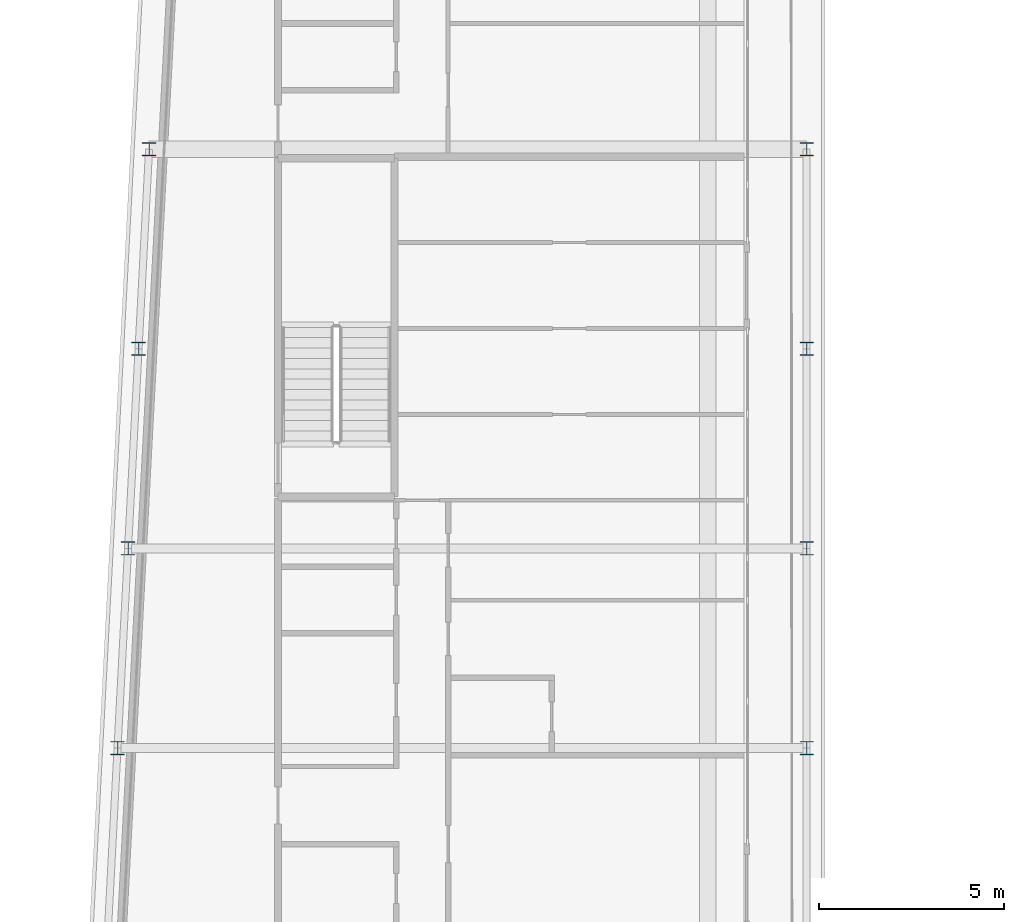
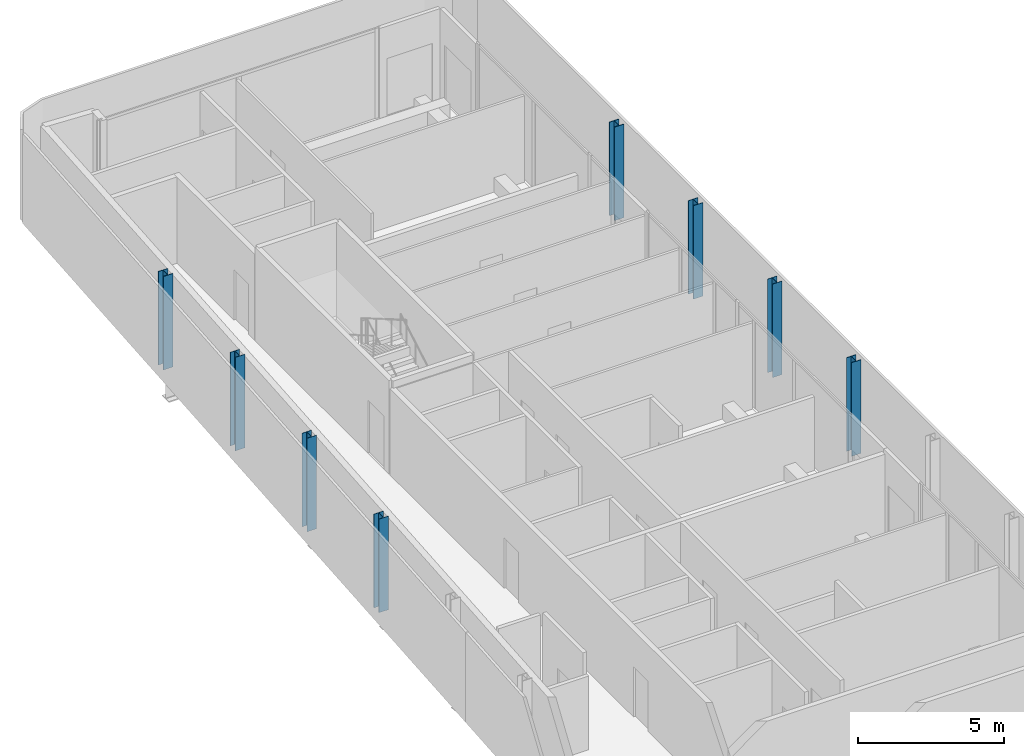
# One storey, part 3 of 18: 8 columns.
"""IFC4 building model written with IfcOpenShell, lengths in metres."""

from ifc_helpers import new_model, si_unit, direction, frame, origin, origin_2d, place, context, subcontext, project, spatial, i_section, extrude, material, material_profile, profile_set, type_object, element, save


model = new_model("IFC4")

# Units and contexts
model_context = context("Model", 3, precision=1e-05, world=origin(), true_north=direction((0.0, 1.0)))
body_context = subcontext(model_context, "Body", "Model", "MODEL_VIEW")
ifc_project = project(units=[si_unit("LENGTHUNIT", "METRE"), si_unit("AREAUNIT", "SQUARE_METRE"), si_unit("VOLUMEUNIT", "CUBIC_METRE"), si_unit("PLANEANGLEUNIT", "RADIAN"), si_unit("MASSUNIT", "GRAM", prefix="KILO")], contexts=[model_context])

# Site, building, storey
site_placement = place(None, origin())
site = spatial("IfcSite", under=ifc_project, at=site_placement, CompositionType="ELEMENT")
building_placement = place(site_placement, origin())
building = spatial("IfcBuilding", under=site, at=building_placement, Name="Kheshtan School and Residences Tower", CompositionType="ELEMENT")
storey_placement = place(building_placement, frame((0.0, 0.0, 369.5)))
storey = spatial("IfcBuildingStorey", under=building, at=storey_placement, Name="L87", CompositionType="ELEMENT", Elevation=369.5)

# Columns
ifc_material = material(Name="Steel ASTM A992 Grade 50", Category="steel")
ifc_material_profile = material_profile(ifc_material, i_section(OverallWidth=0.37109375, OverallDepth=0.364013671875, WebThickness=0.01318359375, FlangeThickness=0.021728515625, FilletRadius=0.010986328125, at=origin_2d()), Name="W360x162")
ifc_profile_set = profile_set([ifc_material_profile], Name="Steel ASTM A992 Grade 50")
column_type = type_object("IfcColumnType", Name="Column C6 W360x162 ASTM A992 Grade 50", PredefinedType="COLUMN", material=ifc_profile_set)
for number, where, z_axis, x_axis, name in (
    (1, (28.9580078125, 72.60009765625, 0.0), (0.0, 0.0, 1.0), (1.0, 0.0, 0.0), "Column C086"),
    (2, (47.60009765625, 72.60009765625, 0.0), (0.0, 0.0, 1.0), (1.0, 0.0, 0.0), "Column C087"),
    (3, (29.242919921875, 78.0, 0.0), (0.0, 0.0, 1.0), (1.0, 0.0, 0.0), "Column C088"),
    (4, (47.60009765625, 78.0, 0.0), (0.0, 0.0, 1.0), (1.0, 0.0, 0.0), "Column C089"),
    (5, (29.527099609375, 83.39990234375, 0.0), (0.0, 0.0, 1.0), (1.0, 0.0, 0.0), "Column C090"),
    (6, (47.60009765625, 83.39990234375, 0.0), (0.0, 0.0, 1.0), (1.0, 0.0, 0.0), "Column C091"),
    (7, (29.81103515625, 88.800048828125, 0.0), (0.0, 0.0, 1.0), (1.0, 0.0, 0.0), "Column C098"),
    (8, (47.60009765625, 88.800048828125, 0.0), (0.0, 0.0, 1.0), (1.0, 0.0, 0.0), "Column C099"),
):
    element("IfcColumn", number, at=place(storey_placement, frame(where, z_axis=z_axis, x_axis=x_axis)), inside=storey, type_object=column_type, Name=name, PredefinedType="COLUMN", context=body_context, shape_type="SweptSolid", body=[
        extrude(i_section(OverallWidth=0.37109375, OverallDepth=0.364013671875, WebThickness=0.01318359375, FlangeThickness=0.021728515625, FilletRadius=0.010986328125, at=origin_2d()), origin(), (0.0, 0.0, 1.0), 3.89990234375),
    ])

save(model, "model.ifc")
